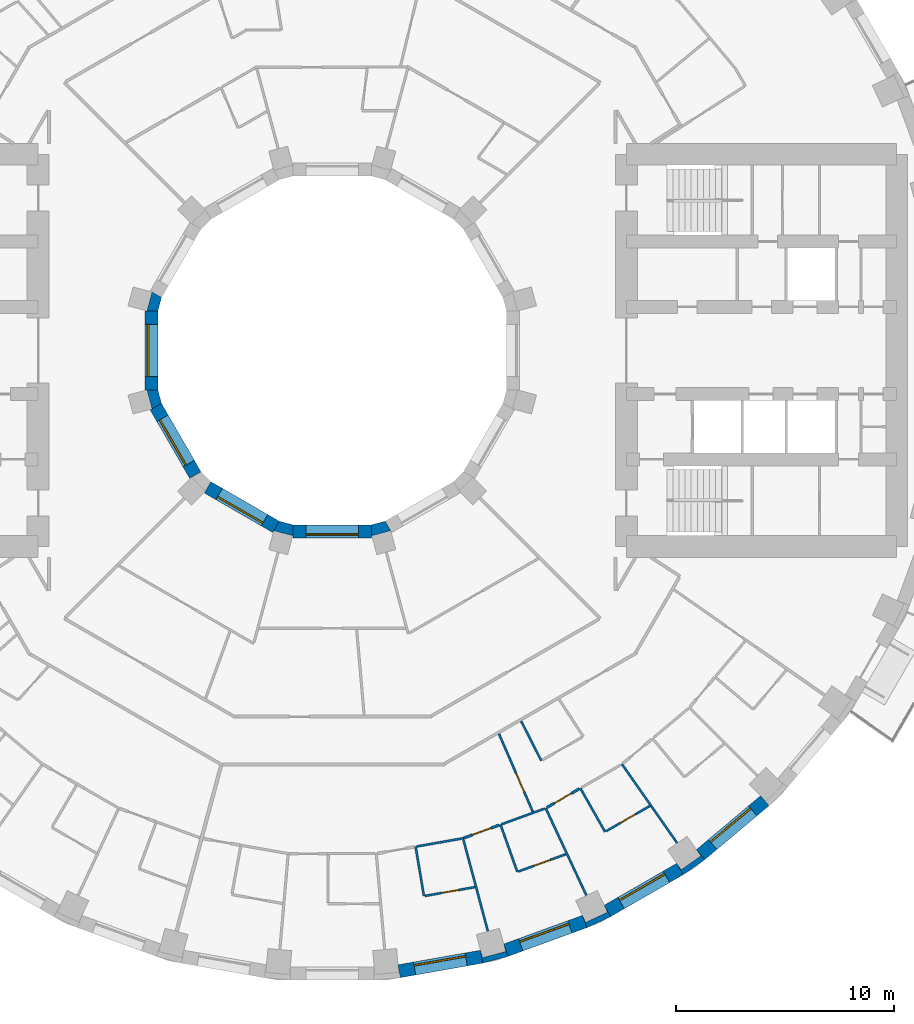
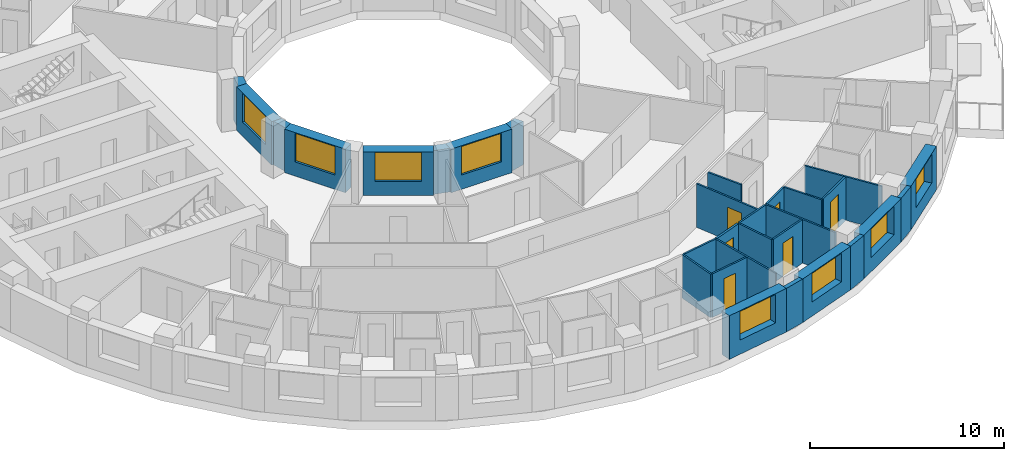
# One storey, part 5 of 14: 30 walls, 8 windows, 6 doors, 14 openings.
"""IFC4 building model written with IfcOpenShell, lengths in metres."""

from ifc_helpers import new_model, si_unit, direction, frame, frame_2d, origin, place, context, subcontext, project, spatial, polyline, rectangle, outline, extrude, material, layer, layer_set, type_object, element, fill, save


model = new_model("IFC4")

# Units and contexts
model_context = context("Model", 3, precision=1e-05, world=origin(), true_north=direction((0.0, 1.0)))
body_context = subcontext(model_context, "Body", "Model", "MODEL_VIEW")
ifc_project = project(units=[si_unit("LENGTHUNIT", "METRE"), si_unit("AREAUNIT", "SQUARE_METRE"), si_unit("VOLUMEUNIT", "CUBIC_METRE"), si_unit("PLANEANGLEUNIT", "RADIAN"), si_unit("MASSUNIT", "GRAM", prefix="KILO")], contexts=[model_context])

# Site, building, storey
site_placement = place(None, origin())
site = spatial("IfcSite", under=ifc_project, at=site_placement, CompositionType="ELEMENT")
building_placement = place(site_placement, origin())
building = spatial("IfcBuilding", under=site, at=building_placement, Name="Saqina Gate Tower", CompositionType="ELEMENT")
storey_placement = place(building_placement, frame((0.0, 0.0, 49.39990234375)))
storey = spatial("IfcBuildingStorey", under=building, at=storey_placement, Name="L13", CompositionType="ELEMENT", Elevation=49.39990234375)

# Walls
ifc_material_1 = material(Name="Brick masonry (red)", Category="masonry")
wall_type_1 = type_object("IfcWallType", Name="BRICK PIER COPING RED", PredefinedType="SOLIDWALL", material=ifc_material_1)
wall_1_placement = place(storey_placement, origin())
element("IfcWall", 1, at=wall_1_placement, inside=storey, type_object=wall_type_1, Name="Pier cap L13 column 29", PredefinedType="SOLIDWALL", context=body_context, shape_type="SweptSolid", body=[
    extrude(outline(polyline([(6.910400390625, -28.11669921875), (8.073974609375, -27.80517578125), (7.86865234375, -27.2412109375), (7.95947265625, -27.57958984375), (6.896728515625, -27.864501953125), (6.80615234375, -27.52587890625), (6.910400390625, -28.11669921875)])), origin(), (0.0, 0.0, 1.0), 2.75),
])
wall_2_placement = place(storey_placement, origin())
element("IfcWall", 2, at=wall_2_placement, inside=storey, type_object=wall_type_1, Name="Pier cap L13 column 30", PredefinedType="SOLIDWALL", context=body_context, shape_type="SweptSolid", body=[
    extrude(outline(polyline([(12.779541015625, -25.980712890625), (12.4794921875, -25.4609375), (12.627685546875, -25.778564453125), (11.630615234375, -26.243408203125), (11.482666015625, -25.92578125), (11.687744140625, -26.48974609375), (12.779541015625, -25.980712890625)])), origin(), (0.0, 0.0, 1.0), 2.75),
])
wall_3_placement = place(storey_placement, origin())
element("IfcWall", 3, at=wall_3_placement, inside=storey, type_object=wall_type_1, Name="Pier cap L13 column 31", PredefinedType="SOLIDWALL", context=body_context, shape_type="SweptSolid", body=[
    extrude(outline(polyline([(16.110107421875, -24.0576171875), (17.096923828125, -23.36669921875), (16.711181640625, -22.9072265625), (16.912109375, -23.194091796875), (16.010986328125, -23.8251953125), (15.81005859375, -23.5380859375), (16.110107421875, -24.0576171875)])), origin(), (0.0, 0.0, 1.0), 2.75),
])

# Wall, opening, window
ifc_material_2 = material(Name="Brick masonry (red)", Category="masonry")
ifc_layer_1 = layer(ifc_material_2, 0.60009765625)
ifc_layer_set_1 = layer_set([ifc_layer_1], Name="FW-BRICK-RED")
wall_type_2 = type_object("IfcWallType", Name="FW-BRICK-RED", PredefinedType="SOLIDWALL", material=ifc_layer_set_1)
wall_4_placement = place(storey_placement, frame((3.07080078125, -28.4892578125, 0.0), z_axis=(0.0, 0.0, 1.0), x_axis=(0.984800809218, 0.173687553279, 0.0)))
wall_4 = element("IfcWall", 4, at=wall_4_placement, inside=storey, type_object=wall_type_2, Name="Facade wall L13 facet 28", PredefinedType="SOLIDWALL", context=body_context, shape_type="SweptSolid", body=[
    extrude(rectangle(XDim=3.845703125, YDim=0.60009765625, at=frame_2d((1.9228515625, 0.0))), origin(), (0.0, 0.0, 1.0), 2.75),
])
opening_1_placement = place(wall_4_placement, frame((0.722900390625, 0.0, 0.89990234375)))
opening_1 = element("IfcOpeningElement", 5, at=opening_1_placement, cuts=wall_4, Name="Opening G03-W21", PredefinedType="OPENING", context=body_context, shape_type="SweptSolid", body=[
    extrude(rectangle(XDim=2.39990234375, YDim=1.800048828125, at=frame_2d((1.199951171875, 0.89990234375))), frame((0.0, 0.31201171875, 0.0), z_axis=(0.0, -1.0, 0.0), x_axis=(1.0, 0.0, 0.0)), (0.0, 0.0, 1.0), 0.6240234375),
])
ifc_material_3 = material(Name="Aluminium glazing", Category="aluminium")
window_type_1 = type_object("IfcWindowType", Name="WN-A", PartitioningType="SINGLE_PANEL", PredefinedType="WINDOW", material=ifc_material_3)
window_1_placement = place(opening_1_placement, origin())
window_1 = element("IfcWindow", 6, at=window_1_placement, inside=storey, type_object=window_type_1, Name="Window L13 facet 28", OverallHeight=1.800048828125, OverallWidth=2.39990234375, PartitioningType="SINGLE_PANEL", PredefinedType="WINDOW", context=body_context, shape_type="SweptSolid", body=[
    extrude(rectangle(XDim=2.39990234375, YDim=1.800048828125, at=frame_2d((1.199951171875, 0.89990234375))), frame((0.0, 0.179931640625, 0.0), z_axis=(0.0, -1.0, 0.0), x_axis=(1.0, 0.0, 0.0)), (0.0, 0.0, 1.0), 0.06005859375),
])
fill(opening_1, window_1)

wall_5_placement = place(storey_placement, frame((7.97119140625, -27.523193359375, 0.0), z_axis=(0.0, 0.0, 1.0), x_axis=(0.939689588564, 0.342028474173, 0.0)))
wall_5 = element("IfcWall", 7, at=wall_5_placement, inside=storey, type_object=wall_type_2, Name="Facade wall L13 facet 29", PredefinedType="SOLIDWALL", context=body_context, shape_type="SweptSolid", body=[
    extrude(rectangle(XDim=3.845947265625, YDim=0.60009765625, at=frame_2d((1.9228515625, 0.0))), origin(), (0.0, 0.0, 1.0), 2.75),
])
opening_2_placement = place(wall_5_placement, frame((0.722900390625, 0.0, 0.89990234375)))
opening_2 = element("IfcOpeningElement", 8, at=opening_2_placement, cuts=wall_5, Name="Opening G03-W22", PredefinedType="OPENING", context=body_context, shape_type="SweptSolid", body=[
    extrude(rectangle(XDim=2.39990234375, YDim=1.800048828125, at=frame_2d((1.199951171875, 0.89990234375))), frame((0.0, 0.31201171875, 0.0), z_axis=(0.0, -1.0, 0.0), x_axis=(1.0, 0.0, 0.0)), (0.0, 0.0, 1.0), 0.6240234375),
])
window_2_placement = place(opening_2_placement, origin())
window_2 = element("IfcWindow", 9, at=window_2_placement, inside=storey, type_object=window_type_1, Name="Window L13 facet 29", OverallHeight=1.800048828125, OverallWidth=2.39990234375, PartitioningType="SINGLE_PANEL", PredefinedType="WINDOW", context=body_context, shape_type="SweptSolid", body=[
    extrude(rectangle(XDim=2.39990234375, YDim=1.800048828125, at=frame_2d((1.199951171875, 0.89990234375))), frame((0.0, 0.179931640625, 0.0), z_axis=(0.0, -1.0, 0.0), x_axis=(1.0, 0.0, 0.0)), (0.0, 0.0, 1.0), 0.06005859375),
])
fill(opening_2, window_2)

wall_6_placement = place(storey_placement, frame((12.629638671875, -25.720703125, 0.0), z_axis=(0.0, 0.0, 1.0), x_axis=(0.86603124159, 0.499989888488, 0.0)))
wall_6 = element("IfcWall", 10, at=wall_6_placement, inside=storey, type_object=wall_type_2, Name="Facade wall L13 facet 30", PredefinedType="SOLIDWALL", context=body_context, shape_type="SweptSolid", body=[
    extrude(rectangle(XDim=3.845703125, YDim=0.60009765625, at=frame_2d((1.9228515625, 0.0))), origin(), (0.0, 0.0, 1.0), 2.75),
])
opening_3_placement = place(wall_6_placement, frame((0.722900390625, 0.0, 0.89990234375)))
opening_3 = element("IfcOpeningElement", 11, at=opening_3_placement, cuts=wall_6, Name="Opening G03-W23", PredefinedType="OPENING", context=body_context, shape_type="SweptSolid", body=[
    extrude(rectangle(XDim=2.39990234375, YDim=1.800048828125, at=frame_2d((1.199951171875, 0.89990234375))), frame((0.0, 0.31201171875, 0.0), z_axis=(0.0, -1.0, 0.0), x_axis=(1.0, 0.0, 0.0)), (0.0, 0.0, 1.0), 0.6240234375),
])
window_3_placement = place(opening_3_placement, origin())
window_3 = element("IfcWindow", 12, at=window_3_placement, inside=storey, type_object=window_type_1, Name="Window L13 facet 30", OverallHeight=1.800048828125, OverallWidth=2.39990234375, PartitioningType="SINGLE_PANEL", PredefinedType="WINDOW", context=body_context, shape_type="SweptSolid", body=[
    extrude(rectangle(XDim=2.39990234375, YDim=1.800048828125, at=frame_2d((1.199951171875, 0.89990234375))), frame((0.0, 0.179931640625, 0.0), z_axis=(0.0, -1.0, 0.0), x_axis=(1.0, 0.0, 0.0)), (0.0, 0.0, 1.0), 0.06005859375),
])
fill(opening_3, window_3)

wall_7_placement = place(storey_placement, frame((16.904052734375, -23.136962890625, 0.0), z_axis=(0.0, 0.0, 1.0), x_axis=(0.766026164483, 0.642809392687, 0.0)))
wall_7 = element("IfcWall", 13, at=wall_7_placement, inside=storey, type_object=wall_type_2, Name="Facade wall L13 facet 31", PredefinedType="SOLIDWALL", context=body_context, shape_type="SweptSolid", body=[
    extrude(rectangle(XDim=3.845947265625, YDim=0.60009765625, at=frame_2d((1.9228515625, 0.0))), origin(), (0.0, 0.0, 1.0), 2.75),
])
opening_4_placement = place(wall_7_placement, frame((0.722900390625, 0.0, 0.89990234375)))
opening_4 = element("IfcOpeningElement", 14, at=opening_4_placement, cuts=wall_7, Name="Opening G03-W24", PredefinedType="OPENING", context=body_context, shape_type="SweptSolid", body=[
    extrude(rectangle(XDim=2.39990234375, YDim=1.800048828125, at=frame_2d((1.199951171875, 0.89990234375))), frame((0.0, 0.31201171875, 0.0), z_axis=(0.0, -1.0, 0.0), x_axis=(1.0, 0.0, 0.0)), (0.0, 0.0, 1.0), 0.6240234375),
])
window_4_placement = place(opening_4_placement, origin())
window_4 = element("IfcWindow", 15, at=window_4_placement, inside=storey, type_object=window_type_1, Name="Window L13 facet 31", OverallHeight=1.800048828125, OverallWidth=2.39990234375, PartitioningType="SINGLE_PANEL", PredefinedType="WINDOW", context=body_context, shape_type="SweptSolid", body=[
    extrude(rectangle(XDim=2.39990234375, YDim=1.800048828125, at=frame_2d((1.199951171875, 0.89990234375))), frame((0.0, 0.179931640625, 0.0), z_axis=(0.0, -1.0, 0.0), x_axis=(1.0, 0.0, 0.0)), (0.0, 0.0, 1.0), 0.06005859375),
])
fill(opening_4, window_4)

ifc_material_4 = material(Name="Glazed ceramic tile", Category="ceramic")
ifc_layer_2 = layer(ifc_material_4, 0.60009765625)
ifc_layer_set_2 = layer_set([ifc_layer_2], Name="IW-TILE")
wall_type_3 = type_object("IfcWallType", Name="IW-TILE", PredefinedType="SOLIDWALL", material=ifc_layer_set_2)
wall_8_placement = place(storey_placement, frame((-8.300048828125, 1.8125, 0.0), z_axis=(0.0, 0.0, 1.0), x_axis=(0.0, -1.0, 0.0)))
wall_8 = element("IfcWall", 16, at=wall_8_placement, inside=storey, type_object=wall_type_3, Name="Well wall L13 facet 6", PredefinedType="SOLIDWALL", context=body_context, shape_type="SweptSolid", body=[
    extrude(rectangle(XDim=3.625, YDim=0.60009765625, at=frame_2d((1.8125, 0.0))), origin(), (0.0, 0.0, 1.0), 2.75),
])
opening_5_placement = place(wall_8_placement, frame((0.612548828125, 0.0, 0.89990234375)))
opening_5 = element("IfcOpeningElement", 17, at=opening_5_placement, cuts=wall_8, Name="Opening G03-W31", PredefinedType="OPENING", context=body_context, shape_type="SweptSolid", body=[
    extrude(rectangle(XDim=2.39990234375, YDim=1.800048828125, at=frame_2d((1.199951171875, 0.89990234375))), frame((0.0, 0.31201171875, 0.0), z_axis=(0.0, -1.0, 0.0), x_axis=(1.0, 0.0, 0.0)), (0.0, 0.0, 1.0), 0.6240234375),
])
ifc_material_5 = material(Name="Aluminium glazing", Category="aluminium")
window_type_2 = type_object("IfcWindowType", Name="WN-W", PartitioningType="SINGLE_PANEL", PredefinedType="WINDOW", material=ifc_material_5)
window_5_placement = place(opening_5_placement, origin())
window_5 = element("IfcWindow", 18, at=window_5_placement, inside=storey, type_object=window_type_2, Name="Well window L13 facet 6", OverallHeight=1.800048828125, OverallWidth=2.39990234375, PartitioningType="SINGLE_PANEL", PredefinedType="WINDOW", context=body_context, shape_type="SweptSolid", body=[
    extrude(rectangle(XDim=2.39990234375, YDim=1.800048828125, at=frame_2d((1.199951171875, 0.89990234375))), frame((0.0, -0.119873046875, 0.0), z_axis=(0.0, -1.0, 0.0), x_axis=(1.0, 0.0, 0.0)), (0.0, 0.0, 1.0), 0.06005859375),
])
fill(opening_5, window_5)

wall_9_placement = place(storey_placement, frame((-8.09423828125, -2.580322265625, 0.0), z_axis=(0.0, 0.0, 1.0), x_axis=(0.499992569217, -0.866029693906, 0.0)))
wall_9 = element("IfcWall", 19, at=wall_9_placement, inside=storey, type_object=wall_type_3, Name="Well wall L13 facet 7", PredefinedType="SOLIDWALL", context=body_context, shape_type="SweptSolid", body=[
    extrude(rectangle(XDim=3.625, YDim=0.60009765625, at=frame_2d((1.8125, 0.0))), origin(), (0.0, 0.0, 1.0), 2.75),
])
opening_6_placement = place(wall_9_placement, frame((0.612548828125, 0.0, 0.89990234375)))
opening_6 = element("IfcOpeningElement", 20, at=opening_6_placement, cuts=wall_9, Name="Opening G03-W32", PredefinedType="OPENING", context=body_context, shape_type="SweptSolid", body=[
    extrude(rectangle(XDim=2.39990234375, YDim=1.800048828125, at=frame_2d((1.199951171875, 0.89990234375))), frame((0.0, 0.31201171875, 0.0), z_axis=(0.0, -1.0, 0.0), x_axis=(1.0, 0.0, 0.0)), (0.0, 0.0, 1.0), 0.6240234375),
])
window_6_placement = place(opening_6_placement, origin())
window_6 = element("IfcWindow", 21, at=window_6_placement, inside=storey, type_object=window_type_2, Name="Well window L13 facet 7", OverallHeight=1.800048828125, OverallWidth=2.39990234375, PartitioningType="SINGLE_PANEL", PredefinedType="WINDOW", context=body_context, shape_type="SweptSolid", body=[
    extrude(rectangle(XDim=2.39990234375, YDim=1.800048828125, at=frame_2d((1.199951171875, 0.89990234375))), frame((0.0, -0.119873046875, 0.0), z_axis=(0.0, -1.0, 0.0), x_axis=(1.0, 0.0, 0.0)), (0.0, 0.0, 1.0), 0.06005859375),
])
fill(opening_6, window_6)

wall_10_placement = place(storey_placement, frame((-5.7197265625, -6.28173828125, 0.0), z_axis=(0.0, 0.0, 1.0), x_axis=(0.866029693906, -0.499992569217, 0.0)))
wall_10 = element("IfcWall", 22, at=wall_10_placement, inside=storey, type_object=wall_type_3, Name="Well wall L13 facet 8", PredefinedType="SOLIDWALL", context=body_context, shape_type="SweptSolid", body=[
    extrude(rectangle(XDim=3.625, YDim=0.60009765625, at=frame_2d((1.8125, 0.0))), origin(), (0.0, 0.0, 1.0), 2.75),
])
opening_7_placement = place(wall_10_placement, frame((0.612548828125, 0.0, 0.89990234375)))
opening_7 = element("IfcOpeningElement", 23, at=opening_7_placement, cuts=wall_10, Name="Opening G03-W33", PredefinedType="OPENING", context=body_context, shape_type="SweptSolid", body=[
    extrude(rectangle(XDim=2.39990234375, YDim=1.800048828125, at=frame_2d((1.199951171875, 0.89990234375))), frame((0.0, 0.31201171875, 0.0), z_axis=(0.0, -1.0, 0.0), x_axis=(1.0, 0.0, 0.0)), (0.0, 0.0, 1.0), 0.6240234375),
])
window_7_placement = place(opening_7_placement, origin())
window_7 = element("IfcWindow", 24, at=window_7_placement, inside=storey, type_object=window_type_2, Name="Well window L13 facet 8", OverallHeight=1.800048828125, OverallWidth=2.39990234375, PartitioningType="SINGLE_PANEL", PredefinedType="WINDOW", context=body_context, shape_type="SweptSolid", body=[
    extrude(rectangle(XDim=2.39990234375, YDim=1.800048828125, at=frame_2d((1.199951171875, 0.89990234375))), frame((0.0, -0.119873046875, 0.0), z_axis=(0.0, -1.0, 0.0), x_axis=(1.0, 0.0, 0.0)), (0.0, 0.0, 1.0), 0.06005859375),
])
fill(opening_7, window_7)

wall_11_placement = place(storey_placement, frame((-1.8125, -8.300048828125, 0.0), z_axis=(0.0, 0.0, 1.0), x_axis=(1.0, 0.0, 0.0)))
wall_11 = element("IfcWall", 25, at=wall_11_placement, inside=storey, type_object=wall_type_3, Name="Well wall L13 facet 9", PredefinedType="SOLIDWALL", context=body_context, shape_type="SweptSolid", body=[
    extrude(rectangle(XDim=3.625, YDim=0.60009765625, at=frame_2d((1.8125, 0.0))), origin(), (0.0, 0.0, 1.0), 2.75),
])
opening_8_placement = place(wall_11_placement, frame((0.612548828125, 0.0, 0.89990234375)))
opening_8 = element("IfcOpeningElement", 26, at=opening_8_placement, cuts=wall_11, Name="Opening G03-W34", PredefinedType="OPENING", context=body_context, shape_type="SweptSolid", body=[
    extrude(rectangle(XDim=2.39990234375, YDim=1.800048828125, at=frame_2d((1.199951171875, 0.89990234375))), frame((0.0, 0.31201171875, 0.0), z_axis=(0.0, -1.0, 0.0), x_axis=(1.0, 0.0, 0.0)), (0.0, 0.0, 1.0), 0.6240234375),
])
window_8_placement = place(opening_8_placement, origin())
window_8 = element("IfcWindow", 27, at=window_8_placement, inside=storey, type_object=window_type_2, Name="Well window L13 facet 9", OverallHeight=1.800048828125, OverallWidth=2.39990234375, PartitioningType="SINGLE_PANEL", PredefinedType="WINDOW", context=body_context, shape_type="SweptSolid", body=[
    extrude(rectangle(XDim=2.39990234375, YDim=1.800048828125, at=frame_2d((1.199951171875, 0.89990234375))), frame((0.0, -0.119873046875, 0.0), z_axis=(0.0, -1.0, 0.0), x_axis=(1.0, 0.0, 0.0)), (0.0, 0.0, 1.0), 0.06005859375),
])
fill(opening_8, window_8)

# Walls
ifc_material_6 = material(Name="Gypsum board on steel studs, 100 mm", Category="steel")
ifc_layer_3 = layer(ifc_material_6, 0.10009765625)
ifc_layer_set_3 = layer_set([ifc_layer_3], Name="PARTITION 100")
wall_type_4 = type_object("IfcWallType", Name="PARTITION 100", PredefinedType="PARTITIONING", material=ifc_layer_set_3)
wall_12_placement = place(storey_placement, frame((3.826904296875, -22.77099609375, 0.0), z_axis=(0.0, 0.0, 1.0), x_axis=(0.165707124798, -0.98617500921, 0.0)))
element("IfcWall", 28, at=wall_12_placement, inside=storey, type_object=wall_type_4, Name="PARTITION PW3-05", PredefinedType="PARTITIONING", context=body_context, shape_type="SweptSolid", body=[
    extrude(rectangle(XDim=2.2998046875, YDim=0.10009765625, at=frame_2d((1.14990234375, 0.0))), origin(), (0.0, 0.0, 1.0), 2.75),
])
wall_13_placement = place(storey_placement, frame((6.018310546875, -22.447509765625, 0.0), z_axis=(0.0, 0.0, 1.0), x_axis=(0.258193625059, -0.966093190111, 0.0)))
element("IfcWall", 29, at=wall_13_placement, inside=storey, type_object=wall_type_4, Name="PARTITION PW3-08", PredefinedType="PARTITIONING", context=body_context, shape_type="SweptSolid", body=[
    extrude(rectangle(XDim=4.349609375, YDim=0.10009765625, at=frame_2d((2.1748046875, 0.0))), origin(), (0.0, 0.0, 1.0), 2.75),
])
wall_14_placement = place(storey_placement, frame((7.722900390625, -21.760009765625, 0.0), z_axis=(0.0, 0.0, 1.0), x_axis=(0.334695622164, -0.942326291952, 0.0)))
element("IfcWall", 30, at=wall_14_placement, inside=storey, type_object=wall_type_4, Name="PARTITION PW3-11", PredefinedType="PARTITIONING", context=body_context, shape_type="SweptSolid", body=[
    extrude(rectangle(XDim=2.300537109375, YDim=0.10009765625, at=frame_2d((1.150390625, 0.0))), origin(), (0.0, 0.0, 1.0), 2.75),
])

# Wall, opening, door
wall_15_placement = place(storey_placement, frame((7.64990234375, -17.59423828125, 0.0), z_axis=(0.0, 0.0, 1.0), x_axis=(0.398813158587, -0.917032204744, 0.0)))
wall_15 = element("IfcWall", 31, at=wall_15_placement, inside=storey, type_object=wall_type_4, Name="PARTITION PW3-14", PredefinedType="PARTITIONING", context=body_context, shape_type="SweptSolid", body=[
    extrude(rectangle(XDim=3.89697265625, YDim=0.10009765625, at=frame_2d((1.948486328125, 0.0))), origin(), (0.0, 0.0, 1.0), 2.75),
])
opening_9_placement = place(wall_15_placement, frame((1.9921875, 0.0, 0.0)))
opening_9 = element("IfcOpeningElement", 32, at=opening_9_placement, cuts=wall_15, Name="Opening G03-D64", PredefinedType="OPENING", context=body_context, shape_type="SweptSolid", body=[
    extrude(rectangle(XDim=0.89990234375, YDim=2.10009765625, at=frame_2d((0.449951171875, 1.050048828125))), frame((0.0, 0.06201171875, 0.0), z_axis=(0.0, -1.0, 0.0), x_axis=(1.0, 0.0, 0.0)), (0.0, 0.0, 1.0), 0.1240234375),
])
ifc_material_7 = material(Name="Timber door leaf, 900 mm", Category="wood")
door_type_1 = type_object("IfcDoorType", Name="DOOR 900 TIMBER", OperationType="SINGLE_SWING_LEFT", PredefinedType="DOOR", material=ifc_material_7)
door_1_placement = place(opening_9_placement, frame((0.89990234375, 0.0, 0.0), z_axis=(0.0, 0.0, 1.0), x_axis=(-1.0, 0.0, 0.0)))
door_1 = element("IfcDoor", 33, at=door_1_placement, inside=storey, type_object=door_type_1, Name="DOOR G03-D64", OperationType="SINGLE_SWING_LEFT", OverallHeight=2.10009765625, OverallWidth=0.89990234375, PredefinedType="DOOR", context=body_context, shape_type="SweptSolid", body=[
    extrude(rectangle(XDim=0.89990234375, YDim=2.10009765625, at=frame_2d((0.449951171875, 1.050048828125))), frame((0.0, 0.02490234375, 0.0), z_axis=(0.0, -1.0, 0.0), x_axis=(1.0, 0.0, 0.0)), (0.0, 0.0, 1.0), 0.050048828125),
])
fill(opening_9, door_1)

# Walls
wall_16_placement = place(storey_placement, frame((9.794921875, -21.006103515625, 0.0), z_axis=(0.0, 0.0, 1.0), x_axis=(0.422658280027, -0.906289125127, 0.0)))
element("IfcWall", 34, at=wall_16_placement, inside=storey, type_object=wall_type_4, Name="PARTITION PW3-16", PredefinedType="PARTITIONING", context=body_context, shape_type="SweptSolid", body=[
    extrude(rectangle(XDim=4.41259765625, YDim=0.10009765625, at=frame_2d((2.206298828125, 0.0))), origin(), (0.0, 0.0, 1.0), 2.75),
])
wall_17_placement = place(storey_placement, frame((8.66650390625, -17.0078125, 0.0), z_axis=(0.0, 0.0, 1.0), x_axis=(0.453664033068, -0.891172791944, 0.0)))
element("IfcWall", 35, at=wall_17_placement, inside=storey, type_object=wall_type_4, Name="PARTITION PW3-17", PredefinedType="PARTITIONING", context=body_context, shape_type="SweptSolid", body=[
    extrude(rectangle(XDim=2.0400390625, YDim=0.10009765625, at=frame_2d((1.02001953125, 0.0))), origin(), (0.0, 0.0, 1.0), 2.75),
])
wall_18_placement = place(storey_placement, frame((11.385009765625, -20.089111328125, 0.0), z_axis=(0.0, 0.0, 1.0), x_axis=(0.49306078006, -0.869994866173, 0.0)))
element("IfcWall", 36, at=wall_18_placement, inside=storey, type_object=wall_type_4, Name="PARTITION PW3-19", PredefinedType="PARTITIONING", context=body_context, shape_type="SweptSolid", body=[
    extrude(rectangle(XDim=2.300048828125, YDim=0.10009765625, at=frame_2d((1.14990234375, 0.0))), origin(), (0.0, 0.0, 1.0), 2.75),
])
wall_19_placement = place(storey_placement, frame((13.2939453125, -18.986083984375, 0.0), z_axis=(0.0, 0.0, 1.0), x_axis=(0.573391786342, -0.819281306607, 0.0)))
element("IfcWall", 37, at=wall_19_placement, inside=storey, type_object=wall_type_4, Name="PARTITION PW3-25", PredefinedType="PARTITIONING", context=body_context, shape_type="SweptSolid", body=[
    extrude(rectangle(XDim=4.412353515625, YDim=0.10009765625, at=frame_2d((2.2060546875, 0.0))), origin(), (0.0, 0.0, 1.0), 2.75),
])

# Wall, opening, door
wall_20_placement = place(storey_placement, frame((4.25732421875, -25.0302734375, 0.0), z_axis=(0.0, 0.0, 1.0), x_axis=(0.984818426074, 0.173587636842, 0.0)))
wall_20 = element("IfcWall", 38, at=wall_20_placement, inside=storey, type_object=wall_type_4, Name="PARTITION PW3-70", PredefinedType="PARTITIONING", context=body_context, shape_type="SweptSolid", body=[
    extrude(rectangle(XDim=2.324951171875, YDim=0.10009765625, at=frame_2d((1.16259765625, 0.0))), origin(), (0.0, 0.0, 1.0), 2.75),
])
opening_10_placement = place(wall_20_placement, frame((0.762451171875, 0.0, 0.0)))
opening_10 = element("IfcOpeningElement", 39, at=opening_10_placement, cuts=wall_20, Name="Opening G03-D61", PredefinedType="OPENING", context=body_context, shape_type="SweptSolid", body=[
    extrude(rectangle(XDim=0.800048828125, YDim=2.10009765625, at=frame_2d((0.39990234375, 1.050048828125))), frame((0.0, 0.06201171875, 0.0), z_axis=(0.0, -1.0, 0.0), x_axis=(1.0, 0.0, 0.0)), (0.0, 0.0, 1.0), 0.1240234375),
])
ifc_material_8 = material(Name="Timber door leaf, 800 mm", Category="wood")
door_type_2 = type_object("IfcDoorType", Name="DOOR 800 TIMBER", OperationType="SINGLE_SWING_LEFT", PredefinedType="DOOR", material=ifc_material_8)
door_2_placement = place(opening_10_placement, frame((0.800048828125, 0.0, 0.0), z_axis=(0.0, 0.0, 1.0), x_axis=(-1.0, 0.0, 0.0)))
door_2 = element("IfcDoor", 40, at=door_2_placement, inside=storey, type_object=door_type_2, Name="DOOR G03-D61", OperationType="SINGLE_SWING_RIGHT", OverallHeight=2.10009765625, OverallWidth=0.800048828125, PredefinedType="DOOR", context=body_context, shape_type="SweptSolid", body=[
    extrude(rectangle(XDim=0.800048828125, YDim=2.10009765625, at=frame_2d((0.39990234375, 1.050048828125))), frame((0.0, 0.02490234375, 0.0), z_axis=(0.0, -1.0, 0.0), x_axis=(1.0, 0.0, 0.0)), (0.0, 0.0, 1.0), 0.050048828125),
])
fill(opening_10, door_2)

# Wall
wall_21_placement = place(storey_placement, frame((3.876220703125, -22.76220703125, 0.0), z_axis=(0.0, 0.0, 1.0), x_axis=(0.98481362095, 0.173614895648, 0.0)))
element("IfcWall", 41, at=wall_21_placement, inside=storey, type_object=wall_type_4, Name="PARTITION PW3-71", PredefinedType="PARTITIONING", context=body_context, shape_type="SweptSolid", body=[
    extrude(rectangle(XDim=2.206298828125, YDim=0.10009765625, at=frame_2d((1.10302734375, 0.0))), origin(), (0.0, 0.0, 1.0), 2.75),
])

# Wall, opening, door
wall_22_placement = place(storey_placement, frame((8.5400390625, -23.910888671875, 0.0), z_axis=(0.0, 0.0, 1.0), x_axis=(0.939716717369, 0.34195393125, 0.0)))
wall_22 = element("IfcWall", 42, at=wall_22_placement, inside=storey, type_object=wall_type_4, Name="PARTITION PW3-74", PredefinedType="PARTITIONING", context=body_context, shape_type="SweptSolid", body=[
    extrude(rectangle(XDim=2.323974609375, YDim=0.10009765625, at=frame_2d((1.162109375, 0.0))), origin(), (0.0, 0.0, 1.0), 2.75),
])
opening_11_placement = place(wall_22_placement, frame((0.76220703125, 0.0, 0.0)))
opening_11 = element("IfcOpeningElement", 43, at=opening_11_placement, cuts=wall_22, Name="Opening G03-D63", PredefinedType="OPENING", context=body_context, shape_type="SweptSolid", body=[
    extrude(rectangle(XDim=0.800048828125, YDim=2.10009765625, at=frame_2d((0.39990234375, 1.050048828125))), frame((0.0, 0.06201171875, 0.0), z_axis=(0.0, -1.0, 0.0), x_axis=(1.0, 0.0, 0.0)), (0.0, 0.0, 1.0), 0.1240234375),
])
door_3_placement = place(opening_11_placement, frame((0.800048828125, 0.0, 0.0), z_axis=(0.0, 0.0, 1.0), x_axis=(-1.0, 0.0, 0.0)))
door_3 = element("IfcDoor", 44, at=door_3_placement, inside=storey, type_object=door_type_2, Name="DOOR G03-D63", OperationType="SINGLE_SWING_LEFT", OverallHeight=2.10009765625, OverallWidth=0.800048828125, PredefinedType="DOOR", context=body_context, shape_type="SweptSolid", body=[
    extrude(rectangle(XDim=0.800048828125, YDim=2.10009765625, at=frame_2d((0.39990234375, 1.050048828125))), frame((0.0, 0.02490234375, 0.0), z_axis=(0.0, -1.0, 0.0), x_axis=(1.0, 0.0, 0.0)), (0.0, 0.0, 1.0), 0.050048828125),
])
fill(opening_11, door_3)

# Wall
wall_23_placement = place(storey_placement, frame((7.77001953125, -21.742919921875, 0.0), z_axis=(0.0, 0.0, 1.0), x_axis=(0.939725675468, 0.341929312674, 0.0)))
element("IfcWall", 45, at=wall_23_placement, inside=storey, type_object=wall_type_4, Name="PARTITION PW3-75", PredefinedType="PARTITIONING", context=body_context, shape_type="SweptSolid", body=[
    extrude(rectangle(XDim=2.10498046875, YDim=0.10009765625, at=frame_2d((1.052490234375, 0.0))), origin(), (0.0, 0.0, 1.0), 2.75),
])

# Wall, opening, door
wall_24_placement = place(storey_placement, frame((12.562255859375, -22.06494140625, 0.0), z_axis=(0.0, 0.0, 1.0), x_axis=(0.865919666768, 0.50018309718, 0.0)))
wall_24 = element("IfcWall", 46, at=wall_24_placement, inside=storey, type_object=wall_type_4, Name="PARTITION PW3-79", PredefinedType="PARTITIONING", context=body_context, shape_type="SweptSolid", body=[
    extrude(rectangle(XDim=2.324462890625, YDim=0.10009765625, at=frame_2d((1.162109375, 0.0))), origin(), (0.0, 0.0, 1.0), 2.75),
])
opening_12_placement = place(wall_24_placement, frame((0.76220703125, 0.0, 0.0)))
opening_12 = element("IfcOpeningElement", 47, at=opening_12_placement, cuts=wall_24, Name="Opening G03-D69", PredefinedType="OPENING", context=body_context, shape_type="SweptSolid", body=[
    extrude(rectangle(XDim=0.800048828125, YDim=2.10009765625, at=frame_2d((0.39990234375, 1.050048828125))), frame((0.0, 0.06201171875, 0.0), z_axis=(0.0, -1.0, 0.0), x_axis=(1.0, 0.0, 0.0)), (0.0, 0.0, 1.0), 0.1240234375),
])
door_4_placement = place(opening_12_placement, frame((0.800048828125, 0.0, 0.0), z_axis=(0.0, 0.0, 1.0), x_axis=(-1.0, 0.0, 0.0)))
door_4 = element("IfcDoor", 48, at=door_4_placement, inside=storey, type_object=door_type_2, Name="DOOR G03-D69", OperationType="SINGLE_SWING_RIGHT", OverallHeight=2.10009765625, OverallWidth=0.800048828125, PredefinedType="DOOR", context=body_context, shape_type="SweptSolid", body=[
    extrude(rectangle(XDim=0.800048828125, YDim=2.10009765625, at=frame_2d((0.39990234375, 1.050048828125))), frame((0.0, 0.02490234375, 0.0), z_axis=(0.0, -1.0, 0.0), x_axis=(1.0, 0.0, 0.0)), (0.0, 0.0, 1.0), 0.050048828125),
])
fill(opening_12, door_4)

ifc_material_9 = material(Name="Gypsum board on steel studs, 125 mm, fire rated", Category="steel")
ifc_layer_4 = layer(ifc_material_9, 0.125)
ifc_layer_set_4 = layer_set([ifc_layer_4], Name="PARTITION EI 30 125")
wall_type_5 = type_object("IfcWallType", Name="PARTITION EI 30 125", PredefinedType="PARTITIONING", material=ifc_layer_set_4)
wall_25_placement = place(storey_placement, frame((6.0458984375, -22.370849609375, 0.0), z_axis=(0.0, 0.0, 1.0), x_axis=(0.939612508188, 0.342240170722, 0.0)))
wall_25 = element("IfcWall", 49, at=wall_25_placement, inside=storey, type_object=wall_type_5, Name="PARTITION PW1-33", PredefinedType="PARTITIONING", context=body_context, shape_type="SweptSolid", body=[
    extrude(rectangle(XDim=1.73486328125, YDim=0.125, at=frame_2d((0.867431640625, 0.0))), origin(), (0.0, 0.0, 1.0), 2.75),
])
opening_13_placement = place(wall_25_placement, frame((0.41748046875, 0.0, 0.0)))
opening_13 = element("IfcOpeningElement", 50, at=opening_13_placement, cuts=wall_25, Name="Opening G03-D62", PredefinedType="OPENING", context=body_context, shape_type="SweptSolid", body=[
    extrude(rectangle(XDim=0.89990234375, YDim=2.10009765625, at=frame_2d((0.449951171875, 1.050048828125))), frame((0.0, 0.074462890625, 0.0), z_axis=(0.0, -1.0, 0.0), x_axis=(1.0, 0.0, 0.0)), (0.0, 0.0, 1.0), 0.14892578125),
])
ifc_material_10 = material(Name="Fire door leaf EI 30, 900 mm")
door_type_3 = type_object("IfcDoorType", Name="DOOR 900 EI 30", OperationType="SINGLE_SWING_LEFT", PredefinedType="DOOR", material=ifc_material_10)
door_5_placement = place(opening_13_placement, origin())
door_5 = element("IfcDoor", 51, at=door_5_placement, inside=storey, type_object=door_type_3, Name="DOOR G03-D62", OperationType="SINGLE_SWING_LEFT", OverallHeight=2.10009765625, OverallWidth=0.89990234375, PredefinedType="DOOR", context=body_context, shape_type="SweptSolid", body=[
    extrude(rectangle(XDim=0.89990234375, YDim=2.10009765625, at=frame_2d((0.449951171875, 1.050048828125))), frame((0.0, 0.02490234375, 0.0), z_axis=(0.0, -1.0, 0.0), x_axis=(1.0, 0.0, 0.0)), (0.0, 0.0, 1.0), 0.050048828125),
])
fill(opening_13, door_5)

wall_26_placement = place(storey_placement, frame((9.83837890625, -20.98095703125, 0.0), z_axis=(0.0, 0.0, 1.0), x_axis=(0.866288616225, 0.499543825303, 0.0)))
wall_26 = element("IfcWall", 52, at=wall_26_placement, inside=storey, type_object=wall_type_5, Name="PARTITION PW1-35", PredefinedType="PARTITIONING", context=body_context, shape_type="SweptSolid", body=[
    extrude(rectangle(XDim=1.7353515625, YDim=0.125, at=frame_2d((0.86767578125, 0.0))), origin(), (0.0, 0.0, 1.0), 2.75),
])
opening_14_placement = place(wall_26_placement, frame((0.417724609375, 0.0, 0.0)))
opening_14 = element("IfcOpeningElement", 53, at=opening_14_placement, cuts=wall_26, Name="Opening G03-D65", PredefinedType="OPENING", context=body_context, shape_type="SweptSolid", body=[
    extrude(rectangle(XDim=0.89990234375, YDim=2.10009765625, at=frame_2d((0.449951171875, 1.050048828125))), frame((0.0, 0.074462890625, 0.0), z_axis=(0.0, -1.0, 0.0), x_axis=(1.0, 0.0, 0.0)), (0.0, 0.0, 1.0), 0.14892578125),
])
door_6_placement = place(opening_14_placement, origin())
door_6 = element("IfcDoor", 54, at=door_6_placement, inside=storey, type_object=door_type_3, Name="DOOR G03-D65", OperationType="SINGLE_SWING_LEFT", OverallHeight=2.10009765625, OverallWidth=0.89990234375, PredefinedType="DOOR", context=body_context, shape_type="SweptSolid", body=[
    extrude(rectangle(XDim=0.89990234375, YDim=2.10009765625, at=frame_2d((0.449951171875, 1.050048828125))), frame((0.0, 0.02490234375, 0.0), z_axis=(0.0, -1.0, 0.0), x_axis=(1.0, 0.0, 0.0)), (0.0, 0.0, 1.0), 0.050048828125),
])
fill(opening_14, door_6)

# Walls
ifc_material_11 = material(Name="Glazed ceramic tile", Category="ceramic")
wall_type_6 = type_object("IfcWallType", Name="TILE PIER COPING", PredefinedType="SOLIDWALL", material=ifc_material_11)
wall_27_placement = place(storey_placement, origin())
element("IfcWall", 55, at=wall_27_placement, inside=storey, type_object=wall_type_6, Name="Well pier cap L13 column 6", PredefinedType="SOLIDWALL", context=body_context, shape_type="SweptSolid", body=[
    extrude(outline(polyline([(-8.502685546875, 1.8125), (-8.0, 1.8125), (-7.83447265625, 2.430419921875), (-8.27001953125, 2.681884765625), (-8.502685546875, 1.8125)])), origin(), (0.0, 0.0, 1.0), 2.75),
])
wall_28_placement = place(storey_placement, origin())
element("IfcWall", 56, at=wall_28_placement, inside=storey, type_object=wall_type_6, Name="Well pier cap L13 column 7", PredefinedType="SOLIDWALL", context=body_context, shape_type="SweptSolid", body=[
    extrude(outline(polyline([(-8.27001953125, -2.681884765625), (-7.83447265625, -2.430419921875), (-8.0, -1.8125), (-8.502685546875, -1.8125), (-8.27001953125, -2.681884765625)])), origin(), (0.0, 0.0, 1.0), 2.75),
])
wall_29_placement = place(storey_placement, origin())
element("IfcWall", 57, at=wall_29_placement, inside=storey, type_object=wall_type_6, Name="Well pier cap L13 column 9", PredefinedType="SOLIDWALL", context=body_context, shape_type="SweptSolid", body=[
    extrude(outline(polyline([(-1.8125, -8.502685546875), (-1.8125, -8.0), (-2.430419921875, -7.83447265625), (-2.681884765625, -8.27001953125), (-1.8125, -8.502685546875)])), origin(), (0.0, 0.0, 1.0), 2.75),
])
wall_30_placement = place(storey_placement, origin())
element("IfcWall", 58, at=wall_30_placement, inside=storey, type_object=wall_type_6, Name="Well pier cap L13 column 10", PredefinedType="SOLIDWALL", context=body_context, shape_type="SweptSolid", body=[
    extrude(outline(polyline([(2.681884765625, -8.27001953125), (2.430419921875, -7.83447265625), (1.8125, -8.0), (1.8125, -8.502685546875), (2.681884765625, -8.27001953125)])), origin(), (0.0, 0.0, 1.0), 2.75),
])

save(model, "model.ifc")
